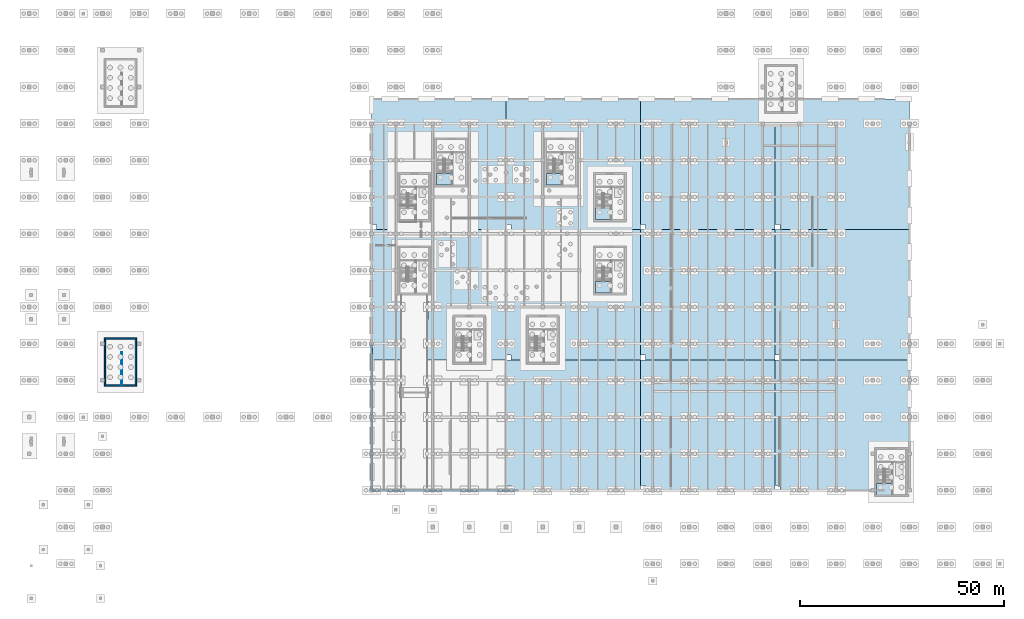
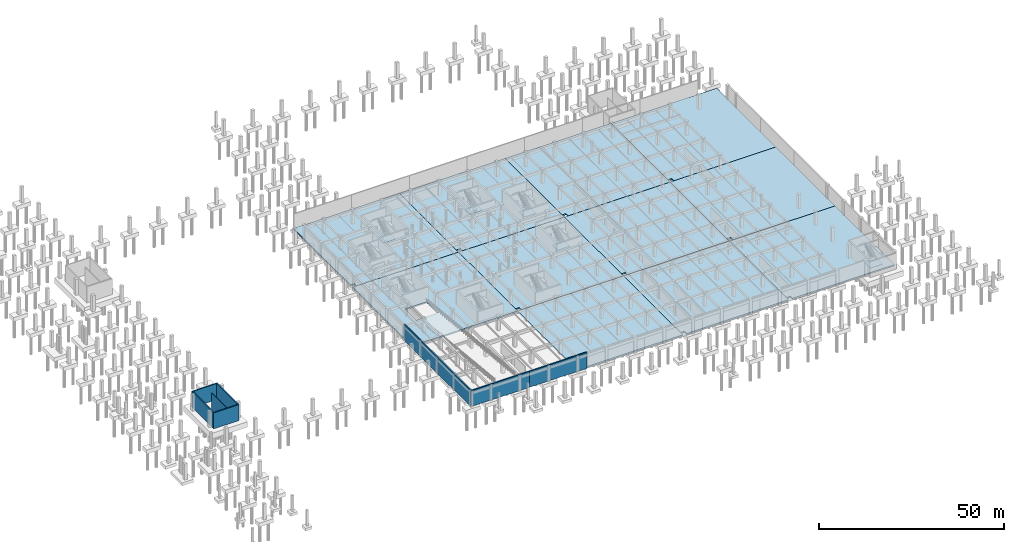
# One storey, part 15 of 27: 16 slabs, 9 walls, 5 elements without a shape of their own.
"""IFC4 building model written with IfcOpenShell, lengths in metres."""

from ifc_helpers import new_model, si_unit, direction, frame, frame_2d, origin, place, context, subcontext, project, spatial, polyline, rectangle, outline, extrude, material, layer, layer_set, type_object, element, aggregate, save


model = new_model("IFC4")

# Units and contexts
model_context = context("Model", 3, precision=1e-05, world=origin(), true_north=direction((0.0, 1.0)))
body_context = subcontext(model_context, "Body", "Model", "MODEL_VIEW")
ifc_project = project(units=[si_unit("LENGTHUNIT", "METRE"), si_unit("AREAUNIT", "SQUARE_METRE"), si_unit("VOLUMEUNIT", "CUBIC_METRE"), si_unit("PLANEANGLEUNIT", "RADIAN"), si_unit("MASSUNIT", "GRAM", prefix="KILO")], contexts=[model_context])

# Site, building, storey
site_placement = place(None, origin())
site = spatial("IfcSite", under=ifc_project, at=site_placement, CompositionType="ELEMENT")
building_placement = place(site_placement, origin())
building = spatial("IfcBuilding", under=site, at=building_placement, Name="Dornveld Trade and Exhibition Forum", CompositionType="ELEMENT")
storey_placement = place(building_placement, frame((0.0, 0.0, -4.800048828125)))
storey = spatial("IfcBuildingStorey", under=building, at=storey_placement, Name="B1", CompositionType="ELEMENT", Elevation=-4.800048828125)

# Slabs
ifc_material_1 = material(Name="Concrete C40/50", Category="concrete")
ifc_layer_1 = layer(ifc_material_1, 0.449951171875)
ifc_layer_set_1 = layer_set([ifc_layer_1], Name="Concrete C40/50")
slab_type_1 = type_object("IfcSlabType", Name="SL-BASE-450", PredefinedType="BASESLAB", material=ifc_layer_set_1)
slab_1_placement = place(storey_placement, frame((0.0, 0.0, -0.449951171875)))
element("IfcSlab", 1, at=slab_1_placement, inside=storey, type_object=slab_type_1, Name="B1 structural slab panel 2", PredefinedType="BASESLAB", context=body_context, shape_type="SweptSolid", body=[
    extrude(outline(polyline([(84.0, 50.0), (117.0, 50.0), (117.0, 82.0), (84.0, 82.0), (84.0, 50.0)]), holes=[polyline([(91.14990234375, 59.949951171875), (97.85009765625, 59.949951171875), (97.85009765625, 66.050048828125), (91.14990234375, 66.050048828125), (91.14990234375, 59.949951171875)])]), origin(), (0.0, 0.0, 1.0), 0.449951171875),
])
slab_2_placement = place(storey_placement, frame((0.0, 0.0, -0.449951171875)))
element("IfcSlab", 2, at=slab_2_placement, inside=storey, type_object=slab_type_1, Name="B1 structural slab panel 3", PredefinedType="BASESLAB", context=body_context, shape_type="SweptSolid", body=[
    extrude(outline(polyline([(85.199951171875, 82.0), (117.0, 82.0), (117.0, 114.0), (84.0, 114.0), (84.0, 83.199951171875), (85.199951171875, 83.199951171875), (85.199951171875, 82.0)])), origin(), (0.0, 0.0, 1.0), 0.449951171875),
])
slab_3_placement = place(storey_placement, frame((0.0, 0.0, -0.449951171875)))
element("IfcSlab", 3, at=slab_3_placement, inside=storey, type_object=slab_type_1, Name="B1 structural slab panel 4", PredefinedType="BASESLAB", context=body_context, shape_type="SweptSolid", body=[
    extrude(outline(polyline([(118.199951171875, 18.0), (150.0, 18.0), (150.0, 50.0), (117.0, 50.0), (117.0, 19.199951171875), (118.199951171875, 19.199951171875), (118.199951171875, 18.0)])), origin(), (0.0, 0.0, 1.0), 0.449951171875),
])
slab_4_placement = place(storey_placement, frame((0.0, 0.0, -0.449951171875)))
element("IfcSlab", 4, at=slab_4_placement, inside=storey, type_object=slab_type_1, Name="B1 structural slab panel 5", PredefinedType="BASESLAB", context=body_context, shape_type="SweptSolid", body=[
    extrude(outline(polyline([(118.199951171875, 50.0), (150.0, 50.0), (150.0, 82.0), (117.0, 82.0), (117.0, 51.199951171875), (118.199951171875, 51.199951171875), (118.199951171875, 50.0)])), origin(), (0.0, 0.0, 1.0), 0.449951171875),
])
slab_5_placement = place(storey_placement, frame((0.0, 0.0, -0.449951171875)))
element("IfcSlab", 5, at=slab_5_placement, inside=storey, type_object=slab_type_1, Name="B1 structural slab panel 6", PredefinedType="BASESLAB", context=body_context, shape_type="SweptSolid", body=[
    extrude(outline(polyline([(118.199951171875, 82.0), (150.0, 82.0), (150.0, 114.0), (117.0, 114.0), (117.0, 83.199951171875), (118.199951171875, 83.199951171875), (118.199951171875, 82.0)])), origin(), (0.0, 0.0, 1.0), 0.449951171875),
])
slab_6_placement = place(storey_placement, frame((0.0, 0.0, -0.449951171875)))
element("IfcSlab", 6, at=slab_6_placement, inside=storey, type_object=slab_type_1, Name="B1 structural slab panel 7", PredefinedType="BASESLAB", context=body_context, shape_type="SweptSolid", body=[
    extrude(outline(polyline([(151.199951171875, 18.0), (183.0, 18.0), (183.0, 50.0), (150.0, 50.0), (150.0, 19.199951171875), (151.199951171875, 19.199951171875), (151.199951171875, 18.0)])), origin(), (0.0, 0.0, 1.0), 0.449951171875),
])
slab_7_placement = place(storey_placement, frame((0.0, 0.0, -0.449951171875)))
element("IfcSlab", 7, at=slab_7_placement, inside=storey, type_object=slab_type_1, Name="B1 structural slab panel 8", PredefinedType="BASESLAB", context=body_context, shape_type="SweptSolid", body=[
    extrude(outline(polyline([(151.199951171875, 50.0), (183.0, 50.0), (183.0, 82.0), (150.0, 82.0), (150.0, 51.199951171875), (151.199951171875, 51.199951171875), (151.199951171875, 50.0)])), origin(), (0.0, 0.0, 1.0), 0.449951171875),
])
slab_8_placement = place(storey_placement, frame((0.0, 0.0, -0.449951171875)))
element("IfcSlab", 8, at=slab_8_placement, inside=storey, type_object=slab_type_1, Name="B1 structural slab panel 9", PredefinedType="BASESLAB", context=body_context, shape_type="SweptSolid", body=[
    extrude(outline(polyline([(151.199951171875, 82.0), (183.0, 82.0), (183.0, 114.0), (150.0, 114.0), (150.0, 83.199951171875), (151.199951171875, 83.199951171875), (151.199951171875, 82.0)])), origin(), (0.0, 0.0, 1.0), 0.449951171875),
])
slab_9_placement = place(storey_placement, frame((0.0, 0.0, -0.449951171875)))
element("IfcSlab", 9, at=slab_9_placement, inside=storey, type_object=slab_type_1, Name="B1 structural slab panel 10", PredefinedType="BASESLAB", context=body_context, shape_type="SweptSolid", body=[
    extrude(outline(polyline([(184.199951171875, 18.0), (216.0, 18.0), (216.0, 50.0), (183.0, 50.0), (183.0, 19.199951171875), (184.199951171875, 19.199951171875), (184.199951171875, 18.0)])), origin(), (0.0, 0.0, 1.0), 0.449951171875),
])
slab_10_placement = place(storey_placement, frame((0.0, 0.0, -0.449951171875)))
element("IfcSlab", 10, at=slab_10_placement, inside=storey, type_object=slab_type_1, Name="B1 structural slab panel 11", PredefinedType="BASESLAB", context=body_context, shape_type="SweptSolid", body=[
    extrude(outline(polyline([(184.199951171875, 50.0), (216.0, 50.0), (216.0, 82.0), (183.0, 82.0), (183.0, 51.199951171875), (184.199951171875, 51.199951171875), (184.199951171875, 50.0)])), origin(), (0.0, 0.0, 1.0), 0.449951171875),
])
slab_11_placement = place(storey_placement, frame((0.0, 0.0, -0.449951171875)))
element("IfcSlab", 11, at=slab_11_placement, inside=storey, type_object=slab_type_1, Name="B1 structural slab panel 12", PredefinedType="BASESLAB", context=body_context, shape_type="SweptSolid", body=[
    extrude(outline(polyline([(184.199951171875, 82.0), (216.0, 82.0), (216.0, 114.0), (183.0, 114.0), (183.0, 83.199951171875), (184.199951171875, 83.199951171875), (184.199951171875, 82.0)])), origin(), (0.0, 0.0, 1.0), 0.449951171875),
])

# Stair, slab
ifc_material_2 = material(Name="Concrete C40/50", Category="concrete")
stair_type_1 = type_object("IfcStairType", Name="ST-2RET-480A", PredefinedType="HALF_TURN_STAIR", material=ifc_material_2)
stair_1_placement = place(storey_placement, origin())
stair_1 = element("IfcStair", 12, at=stair_1_placement, inside=storey, type_object=stair_type_1, Name="CORE-01 escape stair B1 to L00", PredefinedType="HALF_TURN_STAIR")
ifc_material_3 = material(Name="Concrete C40/50", Category="concrete")
ifc_layer_2 = layer(ifc_material_3, 0.199951171875)
ifc_layer_set_2 = layer_set([ifc_layer_2], Name="Concrete C40/50")
slab_type_2 = type_object("IfcSlabType", Name="SL-LAND-200", PredefinedType="LANDING", material=ifc_layer_set_2)
slab_12_placement = place(storey_placement, frame((0.0, 0.0, 2.199951171875)))
slab_12 = element("IfcSlab", 13, at=slab_12_placement, type_object=slab_type_2, Name="ST-01-B1 landing 1", PredefinedType="LANDING", context=body_context, shape_type="SweptSolid", body=[
    extrude(outline(polyline([(138.925048828125, 84.425048828125), (142.719970703125, 84.425048828125), (142.719970703125, 87.235107421875), (138.925048828125, 87.235107421875), (138.925048828125, 84.425048828125)])), origin(), (0.0, 0.0, 1.0), 0.2001953125),
])
aggregate(stair_1, [slab_12])

stair_2_placement = place(storey_placement, origin())
stair_2 = element("IfcStair", 14, at=stair_2_placement, inside=storey, type_object=stair_type_1, Name="CORE-03 escape stair B1 to L00", PredefinedType="HALF_TURN_STAIR")
slab_13_placement = place(storey_placement, frame((0.0, 0.0, 2.199951171875)))
slab_13 = element("IfcSlab", 15, at=slab_13_placement, type_object=slab_type_2, Name="ST-03-B1 landing 1", PredefinedType="LANDING", context=body_context, shape_type="SweptSolid", body=[
    extrude(outline(polyline([(99.925048828125, 92.925048828125), (103.719970703125, 92.925048828125), (103.719970703125, 95.735107421875), (99.925048828125, 95.735107421875), (99.925048828125, 92.925048828125)])), origin(), (0.0, 0.0, 1.0), 0.2001953125),
])
aggregate(stair_2, [slab_13])

stair_3_placement = place(storey_placement, origin())
stair_3 = element("IfcStair", 16, at=stair_3_placement, inside=storey, type_object=stair_type_1, Name="CORE-11 escape stair B1 to L00", PredefinedType="HALF_TURN_STAIR")
slab_14_placement = place(storey_placement, frame((0.0, 0.0, 2.199951171875)))
slab_14 = element("IfcSlab", 17, at=slab_14_placement, type_object=slab_type_2, Name="ST-11-B1 landing 1", PredefinedType="LANDING", context=body_context, shape_type="SweptSolid", body=[
    extrude(outline(polyline([(207.875, 16.875), (211.719970703125, 16.875), (211.719970703125, 19.735107421875), (207.875, 19.735107421875), (207.875, 16.875)])), origin(), (0.0, 0.0, 1.0), 0.2001953125),
])
aggregate(stair_3, [slab_14])

ifc_material_4 = material(Name="Concrete C40/50", Category="concrete")
stair_type_2 = type_object("IfcStairType", Name="ST-2RET-480B", PredefinedType="HALF_TURN_STAIR", material=ifc_material_4)
stair_4_placement = place(storey_placement, origin())
stair_4 = element("IfcStair", 18, at=stair_4_placement, inside=storey, type_object=stair_type_2, Name="CORE-02 escape stair B1 to L00", PredefinedType="HALF_TURN_STAIR")
ifc_material_5 = material(Name="Concrete C40/50", Category="concrete")
ifc_layer_3 = layer(ifc_material_5, 0.219970703125)
ifc_layer_set_3 = layer_set([ifc_layer_3], Name="Concrete C40/50")
slab_type_3 = type_object("IfcSlabType", Name="SL-LAND-220", PredefinedType="LANDING", material=ifc_layer_set_3)
slab_15_placement = place(storey_placement, frame((0.0, 0.0, 2.179931640625)))
slab_15 = element("IfcSlab", 19, at=slab_15_placement, type_object=slab_type_3, Name="ST-02-B1 landing 1", PredefinedType="LANDING", context=body_context, shape_type="SweptSolid", body=[
    extrude(outline(polyline([(126.925048828125, 92.925048828125), (130.719970703125, 92.925048828125), (130.719970703125, 95.735107421875), (126.925048828125, 95.735107421875), (126.925048828125, 92.925048828125)])), origin(), (0.0, 0.0, 1.0), 0.22021484375),
])
aggregate(stair_4, [slab_15])

stair_5_placement = place(storey_placement, origin())
stair_5 = element("IfcStair", 20, at=stair_5_placement, inside=storey, type_object=stair_type_2, Name="CORE-08 escape stair B1 to L00", PredefinedType="HALF_TURN_STAIR")
slab_16_placement = place(storey_placement, frame((0.0, 0.0, 2.179931640625)))
slab_16 = element("IfcSlab", 21, at=slab_16_placement, type_object=slab_type_3, Name="ST-08-B1 landing 1", PredefinedType="LANDING", context=body_context, shape_type="SweptSolid", body=[
    extrude(outline(polyline([(138.925048828125, 66.425048828125), (142.719970703125, 66.425048828125), (142.719970703125, 69.235107421875), (138.925048828125, 69.235107421875), (138.925048828125, 66.425048828125)])), origin(), (0.0, 0.0, 1.0), 0.22021484375),
])
aggregate(stair_5, [slab_16])

# Walls
ifc_material_6 = material(Name="Concrete C40/50", Category="concrete")
ifc_layer_4 = layer(ifc_material_6, 0.35009765625)
ifc_layer_set_4 = layer_set([ifc_layer_4], Name="Concrete C40/50")
wall_type_1 = type_object("IfcWallType", Name="WL-CORE-350", PredefinedType="SHEAR", material=ifc_layer_set_4)
for number, where, z_axis, x_axis, name in (
    (22, (18.425048828125, 43.699951171875, -0.449951171875), (0.0, 0.0, 1.0), (1.0, 0.0, 0.0), "CORE-09 B1 shear wall S"),
    (23, (18.425048828125, 55.300048828125, -0.449951171875), (0.0, 0.0, 1.0), (1.0, 0.0, 0.0), "CORE-09 B1 shear wall N"),
):
    element("IfcWall", number, at=place(storey_placement, frame(where, z_axis=z_axis, x_axis=x_axis)), inside=storey, type_object=wall_type_1, Name=name, PredefinedType="SHEAR", context=body_context, shape_type="SweptSolid", body=[
        extrude(rectangle(XDim=7.949951171875, YDim=0.35009765625, at=frame_2d((3.97509765625, 0.0))), origin(), (0.0, 0.0, 1.0), 5.25),
    ])
for number, where, z_axis, x_axis, name in (
    (24, (18.60009765625, 43.875, -0.449951171875), (0.0, 0.0, 1.0), (0.0, 1.0, 0.0), "CORE-09 B1 shear wall W"),
    (25, (26.199951171875, 43.875, -0.449951171875), (0.0, 0.0, 1.0), (0.0, 1.0, 0.0), "CORE-09 B1 shear wall E"),
):
    element("IfcWall", number, at=place(storey_placement, frame(where, z_axis=z_axis, x_axis=x_axis)), inside=storey, type_object=wall_type_1, Name=name, PredefinedType="SHEAR", context=body_context, shape_type="SweptSolid", body=[
        extrude(rectangle(XDim=11.25, YDim=0.35009765625, at=frame_2d((5.625, 0.0))), origin(), (0.0, 0.0, 1.0), 5.25),
    ])
ifc_material_7 = material(Name="Concrete C40/50", Category="concrete")
ifc_layer_5 = layer(ifc_material_7, 0.199951171875)
ifc_layer_set_5 = layer_set([ifc_layer_5], Name="Concrete C40/50")
wall_type_2 = type_object("IfcWallType", Name="WL-INT-SHAFT200", PredefinedType="SOLIDWALL", material=ifc_layer_set_5)
wall_placement = place(storey_placement, frame((22.719970703125, 43.949951171875, -0.449951171875), z_axis=(0.0, 0.0, 1.0), x_axis=(0.0, 1.0, 0.0)))
element("IfcWall", 26, at=wall_placement, inside=storey, type_object=wall_type_2, Name="CORE-09 B1 lift-stair structural shaft wall", PredefinedType="SOLIDWALL", context=body_context, shape_type="SweptSolid", body=[
    extrude(rectangle(XDim=8.0, YDim=0.199951171875, at=frame_2d((4.0, 0.0))), origin(), (0.0, 0.0, 1.0), 5.25),
])
ifc_material_8 = material(Name="Concrete C40/50", Category="concrete")
ifc_layer_6 = layer(ifc_material_8, 0.39990234375)
ifc_layer_set_6 = layer_set([ifc_layer_6], Name="Concrete C40/50")
wall_type_3 = type_object("IfcWallType", Name="WL-RET-400", PredefinedType="USERDEFINED", material=ifc_layer_set_6)
for number, where, z_axis, x_axis, name in (
    (27, (84.0, 18.0, -0.449951171875), (0.0, 0.0, 1.0), (1.0, 0.0, 0.0), "B1 retaining wall S bay 1"),
    (28, (102.0, 18.0, -0.449951171875), (0.0, 0.0, 1.0), (1.0, 0.0, 0.0), "B1 retaining wall S bay 2"),
    (29, (84.0, 18.0, -0.449951171875), (0.0, 0.0, 1.0), (0.0, 1.0, 0.0), "B1 retaining wall W bay 1"),
    (30, (84.0, 36.0, -0.449951171875), (0.0, 0.0, 1.0), (0.0, 1.0, 0.0), "B1 retaining wall W bay 2"),
):
    element("IfcWall", number, at=place(storey_placement, frame(where, z_axis=z_axis, x_axis=x_axis)), inside=storey, type_object=wall_type_3, Name=name, ObjectType="RETAINING_WALL", PredefinedType="USERDEFINED", context=body_context, shape_type="SweptSolid", body=[
        extrude(rectangle(XDim=18.0, YDim=0.39990234375, at=frame_2d((9.0, 0.0))), origin(), (0.0, 0.0, 1.0), 5.25),
    ])

save(model, "model.ifc")
